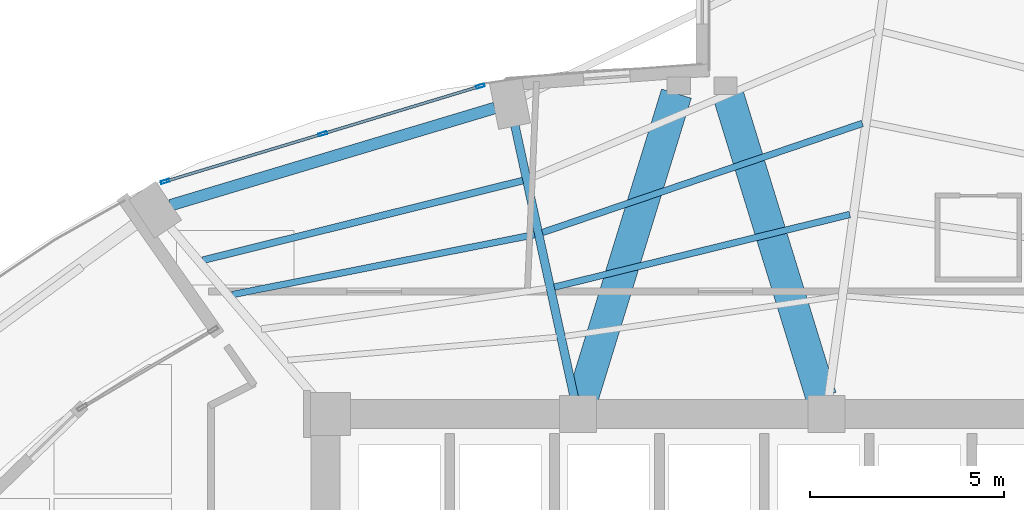
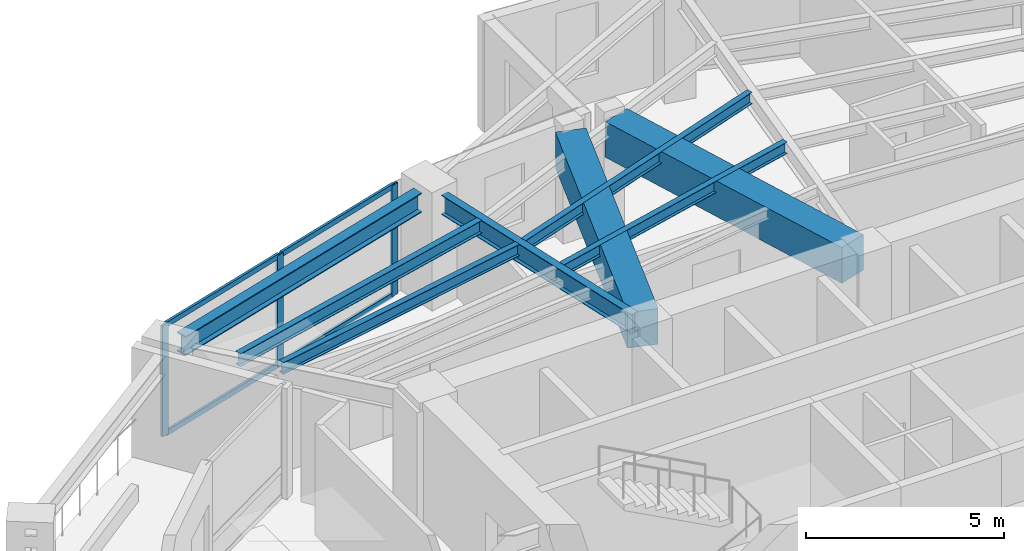
# One storey, part 15 of 24: 8 beams, 7 members, 1 element without a shape of its own.
"""IFC4 building model written with IfcOpenShell, lengths in metres."""

from ifc_helpers import new_model, si_unit, direction, frame, origin, origin_2d, place, context, subcontext, project, spatial, rectangle, hollow_rectangle, i_section, extrude, material, layer, layer_set, material_profile, profile_set, type_object, element, aggregate, save


model = new_model("IFC4")

# Units and contexts
model_context = context("Model", 3, precision=1e-05, world=origin(), true_north=direction((0.0, 1.0)))
body_context = subcontext(model_context, "Body", "Model", "MODEL_VIEW")
ifc_project = project(units=[si_unit("LENGTHUNIT", "METRE"), si_unit("AREAUNIT", "SQUARE_METRE"), si_unit("VOLUMEUNIT", "CUBIC_METRE"), si_unit("PLANEANGLEUNIT", "RADIAN"), si_unit("MASSUNIT", "GRAM", prefix="KILO")], contexts=[model_context])

# Site, building, storey
site_placement = place(None, origin())
site = spatial("IfcSite", under=ifc_project, at=site_placement, CompositionType="ELEMENT")
building_placement = place(site_placement, origin())
building = spatial("IfcBuilding", under=site, at=building_placement, Name="Lazwardi Medical Tower", CompositionType="ELEMENT")
storey_placement = place(building_placement, frame((0.0, 0.0, 110.927978515625)))
storey = spatial("IfcBuildingStorey", under=building, at=storey_placement, Name="L28", CompositionType="ELEMENT", Elevation=110.927978515625)

# Beams
ifc_material_1 = material(Name="Concrete C70/85", Category="concrete")
ifc_material_profile_1 = material_profile(ifc_material_1, rectangle(XDim=0.800048828125, YDim=1.10009765625, at=origin_2d()), Name="RC 800x1100")
ifc_profile_set_1 = profile_set([ifc_material_profile_1], Name="Concrete C70/85")
beam_type_1 = type_object("IfcBeamType", Name="BM-CB-RC1", PredefinedType="LINTEL", material=ifc_profile_set_1)
for number, where, z_axis, x_axis, name in (
    (1, (32.935302734375, 36.039794921875, 2.8779296875), (0.294073251002, 0.955782884888, 0.0), (-0.955782884888, 0.294073251002, 0.0), "Core coupling lintel CB-01 PL1 L28"),
    (2, (39.064697265625, 36.039794921875, 2.8779296875), (-0.294073251002, 0.955782884888, 0.0), (-0.955782884888, -0.294073251002, 0.0), "Core coupling lintel CB-01 PL2 L28"),
):
    element("IfcBeam", number, at=place(storey_placement, frame(where, z_axis=z_axis, x_axis=x_axis)), inside=storey, type_object=beam_type_1, Name=name, PredefinedType="LINTEL", context=body_context, shape_type="SweptSolid", body=[
        extrude(rectangle(XDim=0.800048828125, YDim=1.10009765625, at=origin_2d()), origin(), (0.0, 0.0, 1.0), 8.1708984375),
    ])
ifc_material_2 = material(Name="Steel S355", Category="steel")
ifc_material_profile_2 = material_profile(ifc_material_2, i_section(OverallWidth=0.300048828125, OverallDepth=0.60009765625, WebThickness=0.015380859375, FlangeThickness=0.030029296875, at=origin_2d()), Name="HEB 600")
ifc_profile_set_2 = profile_set([ifc_material_profile_2], Name="Steel S355")
beam_type_2 = type_object("IfcBeamType", Name="BM-RB-Z2", PredefinedType="BEAM", material=ifc_profile_set_2)
beam_1_placement = place(storey_placement, frame((30.661865234375, 43.4794921875, 3.1279296875), z_axis=(-0.957879438442, -0.287170648587, 0.0), x_axis=(0.287170648587, -0.957879438442, 0.0)))
element("IfcBeam", 3, at=beam_1_placement, inside=storey, type_object=beam_type_2, Name="Ring beam RB-03 B09 L28", PredefinedType="BEAM", context=body_context, shape_type="SweptSolid", body=[
    extrude(i_section(OverallWidth=0.300048828125, OverallDepth=0.60009765625, WebThickness=0.015380859375, FlangeThickness=0.030029296875, at=origin_2d()), origin(), (0.0, 0.0, 1.0), 8.719970703125),
])
ifc_material_profile_3 = material_profile(ifc_material_2, i_section(OverallWidth=0.219970703125, OverallDepth=0.60009765625, WebThickness=0.011962890625, FlangeThickness=0.01904296875, at=origin_2d()), Name="IPE 600")
ifc_profile_set_3 = profile_set([ifc_material_profile_3], Name="Steel S355")
beam_type_3 = type_object("IfcBeamType", Name="BM-RG-W1", PredefinedType="BEAM", material=ifc_profile_set_3)
beam_2_placement = place(storey_placement, frame((31.17822265625, 43.03076171875, 3.1279296875), z_axis=(0.213228150441, -0.977002433907, 0.0), x_axis=(0.977002433907, 0.213228150441, 0.0)))
element("IfcBeam", 4, at=beam_2_placement, inside=storey, type_object=beam_type_3, Name="Radial girder RG-02 R09 L28", PredefinedType="BEAM", context=body_context, shape_type="SweptSolid", body=[
    extrude(i_section(OverallWidth=0.219970703125, OverallDepth=0.60009765625, WebThickness=0.011962890625, FlangeThickness=0.01904296875, at=origin_2d()), origin(), (0.0, 0.0, 1.0), 7.145751953125),
])
ifc_material_profile_4 = material_profile(ifc_material_2, i_section(OverallWidth=0.179931640625, OverallDepth=0.39990234375, WebThickness=0.008544921875, FlangeThickness=0.013427734375, at=origin_2d()), Name="IPE 400")
ifc_profile_set_4 = profile_set([ifc_material_profile_4], Name="Steel S355")
beam_type_4 = type_object("IfcBeamType", Name="BM-SJ-01", PredefinedType="JOIST", material=ifc_profile_set_4)
beam_3_placement = place(storey_placement, frame((31.381103515625, 41.609130859375, 3.22802734375), z_axis=(-0.970400881943, -0.241499748081, 0.0), x_axis=(0.241499748081, -0.970400881943, 0.0)))
element("IfcBeam", 5, at=beam_3_placement, inside=storey, type_object=beam_type_4, Name="Secondary joist SJ-01 R1 B09 L28", PredefinedType="JOIST", context=body_context, shape_type="SweptSolid", body=[
    extrude(i_section(OverallWidth=0.179931640625, OverallDepth=0.39990234375, WebThickness=0.008544921875, FlangeThickness=0.013427734375, at=origin_2d()), origin(), (0.0, 0.0, 1.0), 8.48583984375),
])
ifc_material_profile_5 = material_profile(ifc_material_2, i_section(OverallWidth=0.169921875, OverallDepth=0.360107421875, WebThickness=0.008056640625, FlangeThickness=0.0126953125, at=origin_2d()), Name="IPE 360")
ifc_profile_set_5 = profile_set([ifc_material_profile_5], Name="Steel S355")
beam_type_5 = type_object("IfcBeamType", Name="BM-SJ-02", PredefinedType="JOIST", material=ifc_profile_set_5)
beam_4_placement = place(storey_placement, frame((40.125732421875, 43.08203125, 3.248046875), z_axis=(-0.946467154368, -0.322800132749, 0.0), x_axis=(0.322800132749, -0.946467154368, 0.0)))
element("IfcBeam", 6, at=beam_4_placement, inside=storey, type_object=beam_type_5, Name="Secondary joist SJ-02 R2 B08 L28", PredefinedType="JOIST", context=body_context, shape_type="SweptSolid", body=[
    extrude(i_section(OverallWidth=0.169921875, OverallDepth=0.360107421875, WebThickness=0.008056640625, FlangeThickness=0.0126953125, at=origin_2d()), origin(), (0.0, 0.0, 1.0), 8.70458984375),
])
beam_5_placement = place(storey_placement, frame((31.684814453125, 40.2177734375, 3.248046875), z_axis=(-0.980878853282, -0.194619308352, 0.0), x_axis=(0.194619308352, -0.980878853282, 0.0)))
element("IfcBeam", 7, at=beam_5_placement, inside=storey, type_object=beam_type_5, Name="Secondary joist SJ-02 R2 B09 L28", PredefinedType="JOIST", context=body_context, shape_type="SweptSolid", body=[
    extrude(i_section(OverallWidth=0.169921875, OverallDepth=0.360107421875, WebThickness=0.008056640625, FlangeThickness=0.0126953125, at=origin_2d()), origin(), (0.0, 0.0, 1.0), 7.93701171875),
])
beam_6_placement = place(storey_placement, frame((39.80224609375, 40.737548828125, 3.248046875), z_axis=(-0.97107737879, -0.238764998276, 0.0), x_axis=(0.238764998276, -0.97107737879, 0.0)))
element("IfcBeam", 8, at=beam_6_placement, inside=storey, type_object=beam_type_5, Name="Secondary joist SJ-02 R3 B08 L28", PredefinedType="JOIST", context=body_context, shape_type="SweptSolid", body=[
    extrude(i_section(OverallWidth=0.169921875, OverallDepth=0.360107421875, WebThickness=0.008056640625, FlangeThickness=0.0126953125, at=origin_2d()), origin(), (0.0, 0.0, 1.0), 7.83447265625),
])

# Curtain wall, members
ifc_material_3 = material(Name="Anodised bronze aluminium and solar control glazing", Category="aluminium")
ifc_layer = layer(ifc_material_3, 0.195068359375)
ifc_layer_set = layer_set([ifc_layer], Name="Anodised bronze aluminium and solar control glazing")
curtain_wall_type = type_object("IfcCurtainWallType", Name="CW-SYS-03", PredefinedType="NOTDEFINED", material=ifc_layer_set)
curtain_wall_placement = place(storey_placement, origin())
curtain_wall = element("IfcCurtainWall", 9, at=curtain_wall_placement, inside=storey, type_object=curtain_wall_type, Name="L28 Unitised bronze curtain wall CW-03", PredefinedType="NOTDEFINED")
ifc_material_4 = material(Name="Anodised bronze aluminium", Category="aluminium")
ifc_material_profile_6 = material_profile(ifc_material_4, hollow_rectangle(XDim=0.074951171875, YDim=0.219970703125, WallThickness=0.00390625, at=origin_2d()), Name="ALU-MULLION 220x75x4")
ifc_profile_set_6 = profile_set([ifc_material_profile_6], Name="Anodised bronze aluminium")
member_type_1 = type_object("IfcMemberType", Name="CW-MUL-01", PredefinedType="MULLION", material=ifc_profile_set_6)
member_1_placement = place(storey_placement, frame((30.289794921875, 44.0400390625, 0.0), z_axis=(0.0, 0.0, 1.0), x_axis=(0.28937381157, -0.957216170558, 0.0)))
member_1 = element("IfcMember", 10, at=member_1_placement, type_object=member_type_1, Name="CW-03 mullion 1", PredefinedType="MULLION", context=body_context, shape_type="SweptSolid", body=[
    extrude(hollow_rectangle(XDim=0.074951171875, YDim=0.219970703125, WallThickness=0.00390625, at=origin_2d()), origin(), (0.0, 0.0, 1.0), 3.427978515625),
])
member_2_placement = place(storey_placement, frame((26.230712890625, 42.81298828125, 0.0), z_axis=(0.0, 0.0, 1.0), x_axis=(0.28937381157, -0.957216170558, 0.0)))
member_2 = element("IfcMember", 11, at=member_2_placement, type_object=member_type_1, Name="CW-03 mullion 2", PredefinedType="MULLION", context=body_context, shape_type="SweptSolid", body=[
    extrude(hollow_rectangle(XDim=0.074951171875, YDim=0.219970703125, WallThickness=0.00390625, at=origin_2d()), origin(), (0.0, 0.0, 1.0), 3.427978515625),
])
member_3_placement = place(storey_placement, frame((22.171630859375, 41.5859375, 0.0), z_axis=(0.0, 0.0, 1.0), x_axis=(0.28937381157, -0.957216170558, 0.0)))
member_3 = element("IfcMember", 12, at=member_3_placement, type_object=member_type_1, Name="CW-03 mullion 3", PredefinedType="MULLION", context=body_context, shape_type="SweptSolid", body=[
    extrude(hollow_rectangle(XDim=0.074951171875, YDim=0.219970703125, WallThickness=0.00390625, at=origin_2d()), origin(), (0.0, 0.0, 1.0), 3.427978515625),
])
ifc_material_profile_7 = material_profile(ifc_material_4, hollow_rectangle(XDim=0.074951171875, YDim=0.159912109375, WallThickness=0.00390625, at=origin_2d()), Name="ALU-TRANSOM 160x75x4")
ifc_profile_set_7 = profile_set([ifc_material_profile_7], Name="Anodised bronze aluminium")
member_type_2 = type_object("IfcMemberType", Name="CW-TRN-01", PredefinedType="USERDEFINED", material=ifc_profile_set_7)
member_4_placement = place(storey_placement, frame((30.25390625, 44.029296875, 0.03759765625), z_axis=(-0.957220865985, -0.289358279168, 0.0), x_axis=(0.289358279168, -0.957220865985, 0.0)))
member_4 = element("IfcMember", 13, at=member_4_placement, type_object=member_type_2, Name="CW-03 transom 1.1", ObjectType="TRANSOM", PredefinedType="USERDEFINED", context=body_context, shape_type="SweptSolid", body=[
    extrude(hollow_rectangle(XDim=0.074951171875, YDim=0.159912109375, WallThickness=0.00390625, at=origin_2d()), origin(), (0.0, 0.0, 1.0), 4.16552734375),
])
member_5_placement = place(storey_placement, frame((30.25390625, 44.029296875, 3.390625), z_axis=(-0.957220865985, -0.289358279168, 0.0), x_axis=(0.289358279168, -0.957220865985, 0.0)))
member_5 = element("IfcMember", 14, at=member_5_placement, type_object=member_type_2, Name="CW-03 transom 1.2", ObjectType="TRANSOM", PredefinedType="USERDEFINED", context=body_context, shape_type="SweptSolid", body=[
    extrude(hollow_rectangle(XDim=0.074951171875, YDim=0.159912109375, WallThickness=0.00390625, at=origin_2d()), origin(), (0.0, 0.0, 1.0), 4.16552734375),
])
member_6_placement = place(storey_placement, frame((26.19482421875, 42.80224609375, 0.03759765625), z_axis=(-0.957220865985, -0.289358279168, 0.0), x_axis=(0.289358279168, -0.957220865985, 0.0)))
member_6 = element("IfcMember", 15, at=member_6_placement, type_object=member_type_2, Name="CW-03 transom 2.1", ObjectType="TRANSOM", PredefinedType="USERDEFINED", context=body_context, shape_type="SweptSolid", body=[
    extrude(hollow_rectangle(XDim=0.074951171875, YDim=0.159912109375, WallThickness=0.00390625, at=origin_2d()), origin(), (0.0, 0.0, 1.0), 4.16552734375),
])
member_7_placement = place(storey_placement, frame((26.19482421875, 42.80224609375, 3.390625), z_axis=(-0.957220865985, -0.289358279168, 0.0), x_axis=(0.289358279168, -0.957220865985, 0.0)))
member_7 = element("IfcMember", 16, at=member_7_placement, type_object=member_type_2, Name="CW-03 transom 2.2", ObjectType="TRANSOM", PredefinedType="USERDEFINED", context=body_context, shape_type="SweptSolid", body=[
    extrude(hollow_rectangle(XDim=0.074951171875, YDim=0.159912109375, WallThickness=0.00390625, at=origin_2d()), origin(), (0.0, 0.0, 1.0), 4.16552734375),
])
aggregate(curtain_wall, [member_1, member_2, member_3, member_4, member_5, member_6, member_7])

save(model, "model.ifc")
